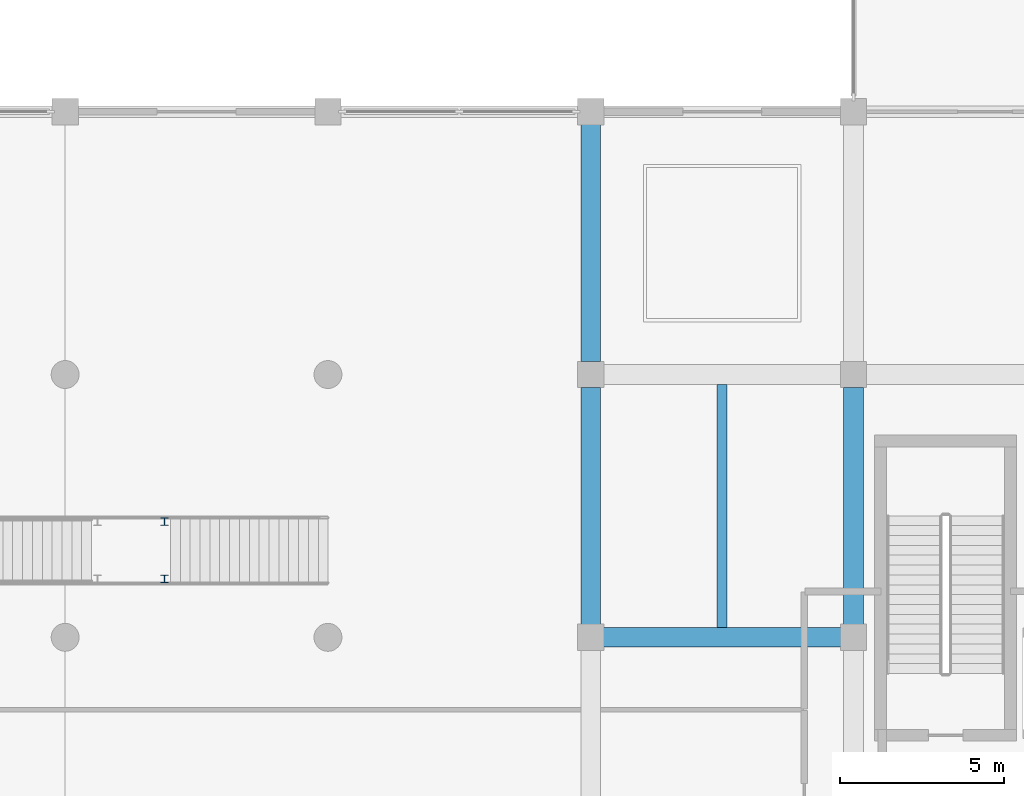
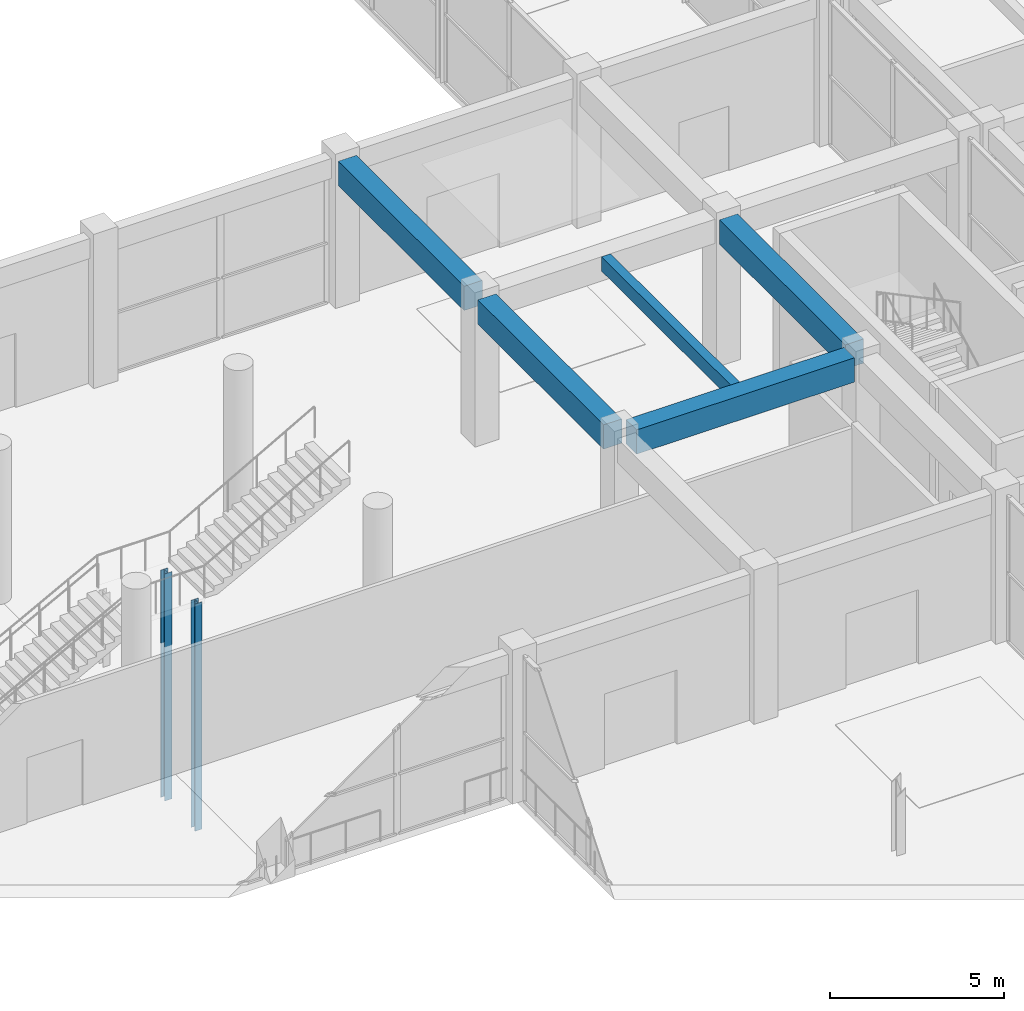
# One storey, part 24 of 86: 5 beams, 2 members.
"""IFC4 building model written with IfcOpenShell, lengths in metres."""

from ifc_helpers import new_model, si_unit, direction, frame, origin, origin_2d, place, context, subcontext, project, spatial, rectangle, i_section, extrude, material, material_profile, profile_set, type_object, element, save


model = new_model("IFC4")

# Units and contexts
model_context = context("Model", 3, precision=1e-05, world=origin(), true_north=direction((0.0, 1.0)))
body_context = subcontext(model_context, "Body", "Model", "MODEL_VIEW")
ifc_project = project(units=[si_unit("LENGTHUNIT", "METRE"), si_unit("AREAUNIT", "SQUARE_METRE"), si_unit("VOLUMEUNIT", "CUBIC_METRE"), si_unit("PLANEANGLEUNIT", "RADIAN"), si_unit("MASSUNIT", "GRAM", prefix="KILO")], contexts=[model_context])

# Site, building, storey
site_placement = place(None, origin())
site = spatial("IfcSite", under=ifc_project, at=site_placement, CompositionType="ELEMENT")
building_placement = place(site_placement, origin())
building = spatial("IfcBuilding", under=site, at=building_placement, Name="Kenh Van Central Station", CompositionType="ELEMENT")
storey_placement = place(building_placement, origin())
storey = spatial("IfcBuildingStorey", under=building, at=storey_placement, Name="L00", CompositionType="ELEMENT", Elevation=0.0)

# Beams
ifc_material_1 = material(Name="Concrete C35/45", Category="concrete")
ifc_material_profile_1 = material_profile(ifc_material_1, rectangle(XDim=0.60009765625, YDim=0.85009765625, at=origin_2d()), Name="RC 600x850")
ifc_profile_set_1 = profile_set([ifc_material_profile_1], Name="Concrete C35/45")
beam_type_1 = type_object("IfcBeamType", Name="BM-RC-600x850", PredefinedType="BEAM", material=ifc_profile_set_1)
for number, where, z_axis, x_axis, name in (
    (1, (104.389892578125, 24.0, 4.695068359375), (1.0, 0.0, 0.0), (0.0, 1.0, 0.0), "L00 beam 0385"),
    (2, (104.0, 24.389892578125, 4.695068359375), (0.0, 1.0, 0.0), (-1.0, 0.0, 0.0), "L00 beam 0508"),
    (3, (104.0, 32.389892578125, 4.695068359375), (0.0, 1.0, 0.0), (-1.0, 0.0, 0.0), "L00 beam 0509"),
    (4, (112.0, 24.389892578125, 4.695068359375), (0.0, 1.0, 0.0), (-1.0, 0.0, 0.0), "L00 beam 0511"),
):
    element("IfcBeam", number, at=place(storey_placement, frame(where, z_axis=z_axis, x_axis=x_axis)), inside=storey, type_object=beam_type_1, Name=name, PredefinedType="BEAM", context=body_context, shape_type="SweptSolid", body=[
        extrude(rectangle(XDim=0.60009765625, YDim=0.85009765625, at=origin_2d()), origin(), (0.0, 0.0, 1.0), 7.22021484375),
    ])
ifc_material_profile_2 = material_profile(ifc_material_1, rectangle(XDim=0.300048828125, YDim=0.5, at=origin_2d()), Name="RC 300x500")
ifc_profile_set_2 = profile_set([ifc_material_profile_2], Name="Concrete C35/45")
beam_type_2 = type_object("IfcBeamType", Name="JST-RC-300x500", PredefinedType="JOIST", material=ifc_profile_set_2)
beam_placement = place(storey_placement, frame((108.0, 24.300048828125, 4.8701171875), z_axis=(0.0, 1.0, 0.0), x_axis=(-1.0, 0.0, 0.0)))
element("IfcBeam", 5, at=beam_placement, inside=storey, type_object=beam_type_2, Name="L00 floor joist 0599", PredefinedType="JOIST", context=body_context, shape_type="SweptSolid", body=[
    extrude(rectangle(XDim=0.300048828125, YDim=0.5, at=origin_2d()), origin(), (0.0, 0.0, 1.0), 7.39990234375),
])

# Members
ifc_material_2 = material(Name="Steel S355", Category="steel")
ifc_material_profile_3 = material_profile(ifc_material_2, i_section(OverallWidth=0.239990234375, OverallDepth=0.22998046875, WebThickness=0.007568359375, FlangeThickness=0.011962890625, FilletRadius=0.02099609375, at=origin_2d()), Name="HEA 240")
ifc_profile_set_3 = profile_set([ifc_material_profile_3], Name="Steel S355")
member_type = type_object("IfcMemberType", Name="MEM-ROOF-POST240", PredefinedType="POST", material=ifc_profile_set_3)
for number, where, z_axis, x_axis, name in (
    (6, (91.02490234375, 25.780029296875, -5.39990234375), (0.0, 0.0, 1.0), (1.0, 0.0, 0.0), "Ticket Hall Atrium Concourse Stair mid-landing support post 21"),
    (7, (91.02490234375, 27.52001953125, -5.39990234375), (0.0, 0.0, 1.0), (1.0, 0.0, 0.0), "Ticket Hall Atrium Concourse Stair mid-landing support post 22"),
):
    element("IfcMember", number, at=place(storey_placement, frame(where, z_axis=z_axis, x_axis=x_axis)), inside=storey, type_object=member_type, Name=name, PredefinedType="POST", context=body_context, shape_type="SweptSolid", body=[
        extrude(i_section(OverallWidth=0.239990234375, OverallDepth=0.22998046875, WebThickness=0.007568359375, FlangeThickness=0.011962890625, FilletRadius=0.02099609375, at=origin_2d()), origin(), (0.0, 0.0, 1.0), 7.949951171875),
    ])

save(model, "model.ifc")
